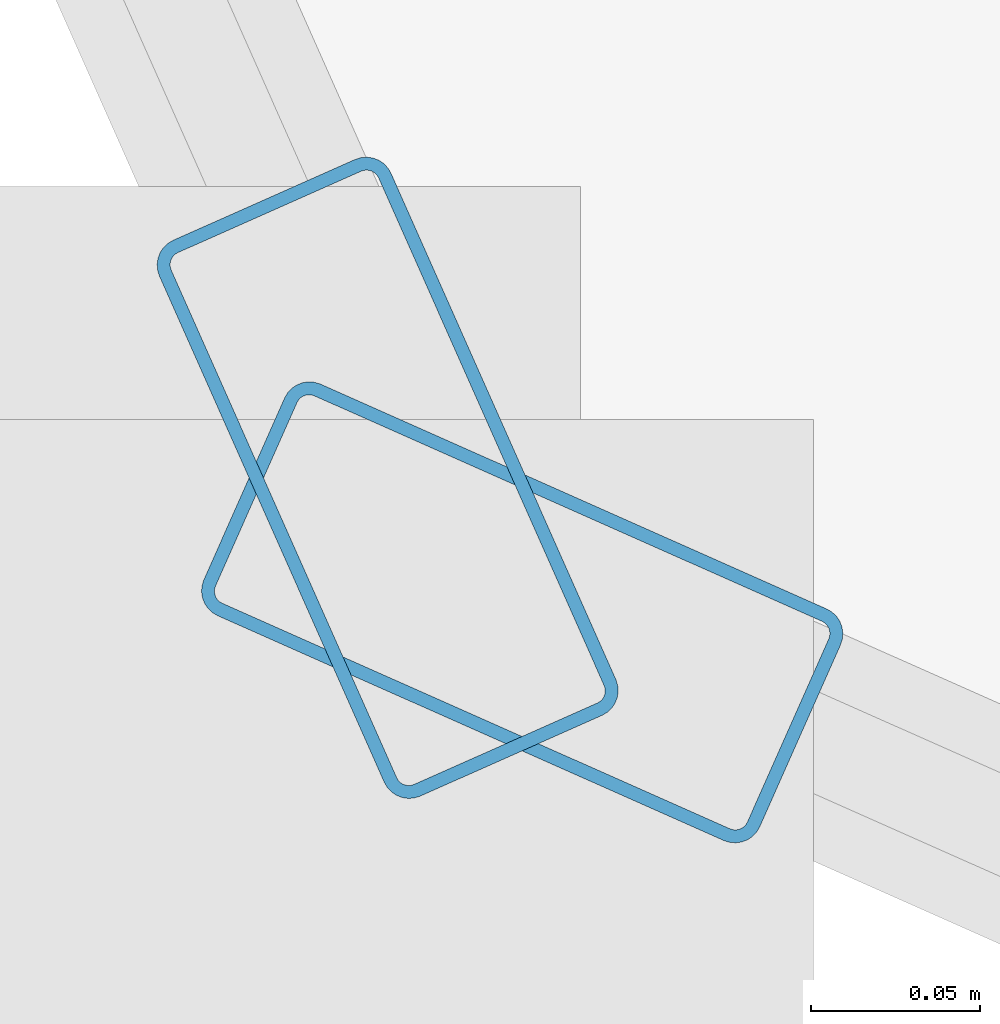
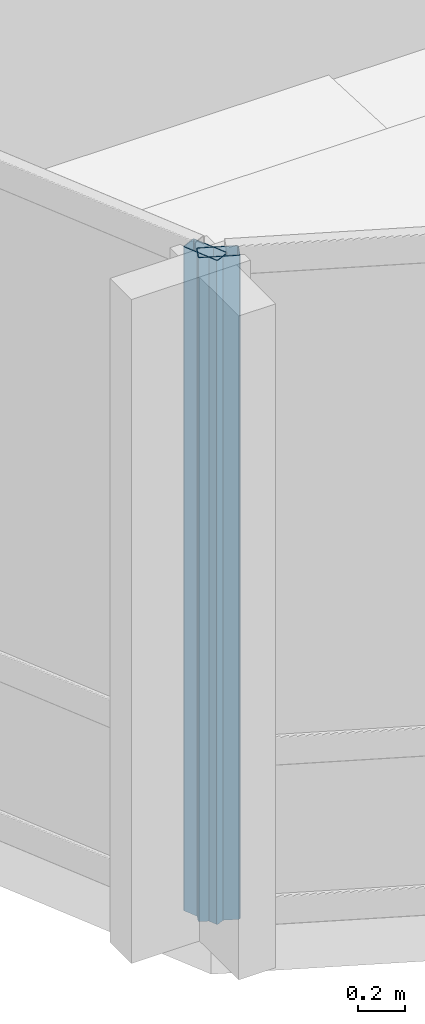
# One storey, part 2 of 34: 2 members, 2 elements without a shape of their own.
"""IFC4 building model written with IfcOpenShell, lengths in metres."""

from ifc_helpers import new_model, si_unit, direction, frame, origin, origin_2d, place, context, subcontext, project, spatial, hollow_rectangle, extrude, material, layer, layer_set, material_profile, profile_set, type_object, element, aggregate, save


model = new_model("IFC4")

# Units and contexts
model_context = context("Model", 3, precision=1e-05, world=origin(), true_north=direction((0.0, 1.0)))
body_context = subcontext(model_context, "Body", "Model", "MODEL_VIEW")
ifc_project = project(units=[si_unit("LENGTHUNIT", "METRE"), si_unit("AREAUNIT", "SQUARE_METRE"), si_unit("VOLUMEUNIT", "CUBIC_METRE"), si_unit("PLANEANGLEUNIT", "RADIAN"), si_unit("MASSUNIT", "GRAM", prefix="KILO")], contexts=[model_context])

# Site, building, storey
site_placement = place(None, origin())
site = spatial("IfcSite", under=ifc_project, at=site_placement, CompositionType="ELEMENT")
building_placement = place(site_placement, origin())
building = spatial("IfcBuilding", under=site, at=building_placement, Name="Solvaryn Broadcast Tower", CompositionType="ELEMENT")
storey_placement = place(building_placement, frame((0.0, 0.0, 65.60009765625)))
storey = spatial("IfcBuildingStorey", under=building, at=storey_placement, Name="L15", CompositionType="ELEMENT", Elevation=65.60009765625)

# Curtain wall, member
ifc_material_1 = material(Name="Aluminium and Terracotta Unitised Curtain Wall", Category="masonry")
ifc_layer = layer(ifc_material_1, 0.199951171875)
ifc_layer_set = layer_set([ifc_layer], Name="CW-SYS2-LOWMID")
curtain_wall_type = type_object("IfcCurtainWallType", Name="CW-SYS2-LOWMID", PredefinedType="NOTDEFINED", material=ifc_layer_set)
curtain_wall_1_placement = place(storey_placement, origin())
curtain_wall_1 = element("IfcCurtainWall", 1, at=curtain_wall_1_placement, inside=storey, type_object=curtain_wall_type, Name="L15 Curtain Wall DR2", PredefinedType="NOTDEFINED")
ifc_material_2 = material(Name="Anodised Aluminium 6063-T6", Category="aluminium")
ifc_material_profile = material_profile(ifc_material_2, hollow_rectangle(XDim=0.074951171875, YDim=0.179931640625, WallThickness=0.00390625, InnerFilletRadius=0.00390625, OuterFilletRadius=0.008056640625, at=origin_2d()))
ifc_profile_set = profile_set([ifc_material_profile], Name="Anodised Aluminium 6063-T6")
member_type = type_object("IfcMemberType", Name="CW-MUL-180", PredefinedType="MULLION", material=ifc_profile_set)
member_1_placement = place(storey_placement, frame((7.834716796875, 7.87451171875, 0.0), z_axis=(0.0, 0.0, 1.0), x_axis=(0.913918257271, 0.405898286554, 0.0)))
member_1 = element("IfcMember", 2, at=member_1_placement, type_object=member_type, Name="CWS2 mullion 2", PredefinedType="MULLION", context=body_context, shape_type="SweptSolid", body=[
    extrude(hollow_rectangle(XDim=0.074951171875, YDim=0.179931640625, WallThickness=0.00390625, InnerFilletRadius=0.00390625, OuterFilletRadius=0.008056640625, at=origin_2d()), origin(), (0.0, 0.0, 1.0), 3.419921875),
])
aggregate(curtain_wall_1, [member_1])

curtain_wall_2_placement = place(storey_placement, origin())
curtain_wall_2 = element("IfcCurtainWall", 3, at=curtain_wall_2_placement, inside=storey, type_object=curtain_wall_type, Name="L15 Curtain Wall DR3", PredefinedType="NOTDEFINED")
member_2_placement = place(storey_placement, frame((7.87451171875, 7.834716796875, 0.0), z_axis=(0.0, 0.0, 1.0), x_axis=(0.405898286554, 0.913918257271, 0.0)))
member_2 = element("IfcMember", 4, at=member_2_placement, type_object=member_type, Name="CWS2 mullion 1", PredefinedType="MULLION", context=body_context, shape_type="SweptSolid", body=[
    extrude(hollow_rectangle(XDim=0.074951171875, YDim=0.179931640625, WallThickness=0.00390625, InnerFilletRadius=0.00390625, OuterFilletRadius=0.008056640625, at=origin_2d()), origin(), (0.0, 0.0, 1.0), 3.419921875),
])
aggregate(curtain_wall_2, [member_2])

save(model, "model.ifc")
